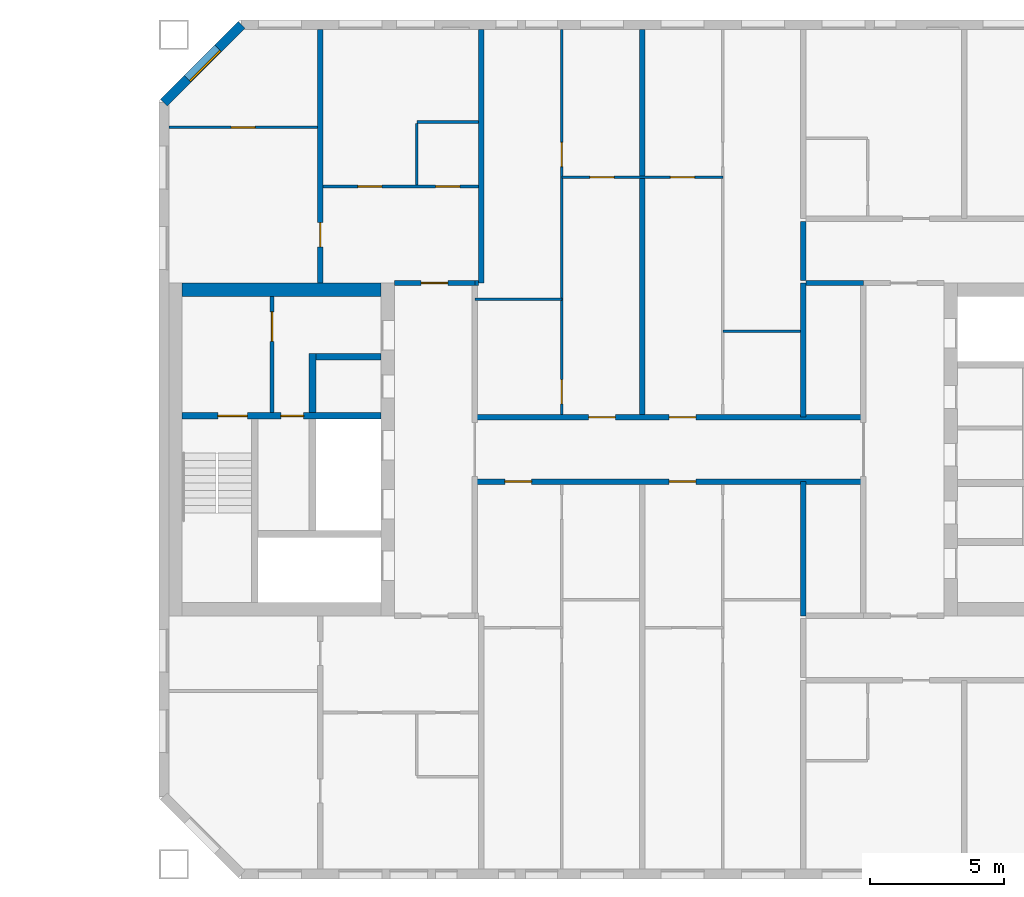
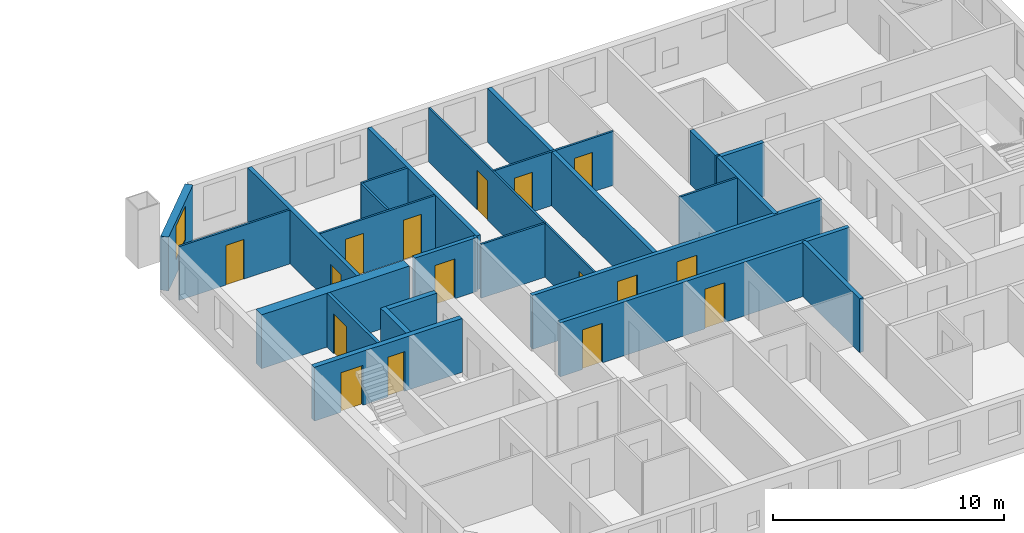
# One storey, part 11 of 16: 25 walls, 16 doors, 1 window, 17 openings.
"""IFC4 building model written with IfcOpenShell, lengths in metres."""

import ifcopenshell
import ifcopenshell.guid

model = None  # the IFC model being written
_history = None  # IfcOwnerHistory: only IFC2X3 demands one
_inside = {}  # id of a spatial element -> (the spatial element, [elements in it])
_under = {}  # id of a project, library or spatial element -> (it, [spatial elements below it])
_declared = {}  # id of a project -> (the project, [libraries it declares])
_typed = {}  # id of a type object -> (the type object, [elements of that type])
_made_of = {}  # id of a material, layer set ... -> (it, [elements and type objects made of it])


def new_model(schema):
    """Start an empty IFC model of exactly this schema.

    Asked for "IFC4X3", IfcOpenShell would pick the latest addendum, in which some entities
    have other attributes; the version numbers below select the first issue.
    IFC2X3 requires an IfcOwnerHistory on every rooted entity: one is made here for all.
    """
    global model, _history
    if schema == "IFC4X3":
        model = ifcopenshell.file(schema_version=(4, 3, 0, 0))
    else:
        model = ifcopenshell.file(schema=schema)
    _inside.clear()
    _under.clear()
    _declared.clear()
    _typed.clear()
    _made_of.clear()
    _history = None
    if model.schema == "IFC2X3":
        org = make("IfcOrganization", Name="unknown")
        user = make(
            "IfcPersonAndOrganization",
            ThePerson=make("IfcPerson", FamilyName="unknown"),
            TheOrganization=org,
        )
        app = make(
            "IfcApplication",
            ApplicationDeveloper=org,
            Version="unknown",
            ApplicationFullName="unknown",
            ApplicationIdentifier="unknown",
        )
        _history = make(
            "IfcOwnerHistory",
            OwningUser=user,
            OwningApplication=app,
            ChangeAction="ADDED",
            CreationDate=0,
        )
    return model


def make(cls, **values):
    """One entity of the class cls with the attributes given. An attribute that is None is left unset."""
    return model.create_entity(
        cls, **{name: value for name, value in values.items() if value is not None}
    )


def rooted(cls, **values):
    """An entity with a GlobalId (a new one), such as an element, a storey or a relation."""
    return make(cls, GlobalId=ifcopenshell.guid.new(), OwnerHistory=_history, **values)


def si_unit(unit_type, name, prefix=None):
    """IfcSIUnit, for example si_unit("LENGTHUNIT", "METRE", prefix="MILLI")."""
    return make("IfcSIUnit", UnitType=unit_type, Prefix=prefix, Name=name)


def assignment(units):
    """IfcUnitAssignment: the units of a project."""
    return None if units is None else make("IfcUnitAssignment", Units=units)


def point(xyz):
    """IfcCartesianPoint."""
    return None if xyz is None else make("IfcCartesianPoint", Coordinates=xyz)


def direction(xyz):
    """IfcDirection."""
    return None if xyz is None else make("IfcDirection", DirectionRatios=xyz)


def frame(location, z_axis=None, x_axis=None):
    """IfcAxis2Placement3D, a coordinate frame: its origin and axes. An axis left out is left unset."""
    return make(
        "IfcAxis2Placement3D",
        Location=point(location),
        Axis=direction(z_axis),
        RefDirection=direction(x_axis),
    )


def frame_2d(location, x_axis=None):
    """IfcAxis2Placement2D, a coordinate frame in the plane: its origin and x axis."""
    return make(
        "IfcAxis2Placement2D", Location=point(location), RefDirection=direction(x_axis)
    )


def origin():
    """The frame at (0, 0, 0) with its axes left unset."""
    return frame((0.0, 0.0, 0.0))


def place(relative_to, where):
    """IfcLocalPlacement: puts the frame where relative to a parent placement (None: the world)."""
    return make(
        "IfcLocalPlacement", PlacementRelTo=relative_to, RelativePlacement=where
    )


def context(
    kind, dimensions, precision=None, world=None, true_north=None, identifier=None
):
    """IfcGeometricRepresentationContext, for example the 3D "Model" context."""
    return make(
        "IfcGeometricRepresentationContext",
        ContextIdentifier=identifier,
        ContextType=kind,
        CoordinateSpaceDimension=dimensions,
        Precision=precision,
        WorldCoordinateSystem=world,
        TrueNorth=true_north,
    )


def subcontext(parent, identifier, kind, view, scale=None):
    """IfcGeometricRepresentationSubContext, for example "Body" below "Model"."""
    return make(
        "IfcGeometricRepresentationSubContext",
        ContextIdentifier=identifier,
        ContextType=kind,
        ParentContext=parent,
        TargetScale=scale,
        TargetView=view,
    )


def project(units=None, contexts=None):
    """IfcProject with its units and contexts."""
    return rooted(
        "IfcProject",
        Name="project",
        RepresentationContexts=contexts,
        UnitsInContext=assignment(units),
    )


def spatial(cls, under=None, at=None, **own):
    """A site, building, storey or space (cls), placed at a placement, below another one or the project."""
    s = rooted(cls, ObjectPlacement=at, **own)
    if under is not None:
        _under.setdefault(under.id(), (under, []))[1].append(s)
    return s


def profile(cls, at=None, kind="AREA", **sizes):
    """A parametric profile (cls). Its sizes go by their IFC names, for example OverallWidth=200.0."""
    return make(cls, ProfileType=kind, Position=at, **sizes)


def rectangle(**sizes):
    """IfcRectangleProfileDef."""
    return profile("IfcRectangleProfileDef", **sizes)


def extrude(swept, where, along, depth):
    """IfcExtrudedAreaSolid: the profile swept, set in the frame where, extruded along a direction by depth."""
    return make(
        "IfcExtrudedAreaSolid",
        SweptArea=swept,
        Position=where,
        ExtrudedDirection=direction(along),
        Depth=depth,
    )


def shape(context_of_items, identifier, shape_type, items):
    """IfcShapeRepresentation: the items that make up one representation, for example the "Body"."""
    return make(
        "IfcShapeRepresentation",
        ContextOfItems=context_of_items,
        RepresentationIdentifier=identifier,
        RepresentationType=shape_type,
        Items=items,
    )


def material(Name=None, Category=None):
    """IfcMaterial."""
    return make("IfcMaterial", Name=Name, Category=Category)


def layer(
    of_material, thickness, ventilated=None, Name=None, Category=None, Priority=None
):
    """IfcMaterialLayer: one layer of a wall or slab, of a material (None: an air gap)."""
    return make(
        "IfcMaterialLayer",
        Material=of_material,
        LayerThickness=thickness,
        IsVentilated=ventilated,
        Name=Name,
        Category=Category,
        Priority=Priority,
    )


def layer_set(layers, Name=None):
    """IfcMaterialLayerSet."""
    return make("IfcMaterialLayerSet", MaterialLayers=layers, LayerSetName=Name)


def made_of(thing, what):
    """Note that an element or type object is made of a material, layer set ...; save() writes the relation."""
    if what is not None:
        _made_of.setdefault(what.id(), (what, []))[1].append(thing)
    return thing


def type_object(cls, material=None, **own):
    """A type object (cls), such as IfcWallType, which elements share."""
    return made_of(rooted(cls, **own), material)


def element(
    cls,
    number,
    at=None,
    inside=None,
    cuts=None,
    type_object=None,
    material=None,
    context=None,
    identifier="Body",
    shape_type=None,
    held_by="IfcProductDefinitionShape",
    body=None,
    shapes=None,
    **own,
):
    """One element of the class cls, such as IfcWall. Its Tag is "e" and its number.

    at: its placement. inside: the storey or other place that contains it. cuts: it is an
    opening in that element (IfcRelVoidsElement). A single representation is given by context,
    identifier, shape_type and body (its items); several are given by shapes. held_by: the class
    of the entity that holds the representations. save() writes the other relations.
    """
    e = rooted(cls, Tag="e%d" % number, ObjectPlacement=at, **own)
    if body is not None:
        shapes = [shape(context, identifier, shape_type, body)]
    if shapes is not None:
        e.Representation = make(held_by, Representations=shapes)
    if inside is not None:
        _inside.setdefault(inside.id(), (inside, []))[1].append(e)
    if cuts is not None:
        rooted(
            "IfcRelVoidsElement", RelatingBuildingElement=cuts, RelatedOpeningElement=e
        )
    if type_object is not None:
        _typed.setdefault(type_object.id(), (type_object, []))[1].append(e)
    return made_of(e, material)


def fill(opening, filler):
    """IfcRelFillsElement: the door or window that sits in an opening."""
    return rooted(
        "IfcRelFillsElement",
        RelatingOpeningElement=opening,
        RelatedBuildingElement=filler,
    )


def aggregate(whole, parts):
    """IfcRelAggregates: a whole, such as a stair, and the parts it consists of."""
    return rooted("IfcRelAggregates", RelatingObject=whole, RelatedObjects=parts)


def save(model, path):
    """Write the relations noted so far, then the file.

    IfcRelAggregates (storeys below a building ...), IfcRelContainedInSpatialStructure (elements
    in a storey), IfcRelDefinesByType, IfcRelAssociatesMaterial and IfcRelDeclares: one each for
    every whole, place, type object, material and project.
    """
    for whole, parts in _under.values():
        aggregate(whole, parts)
    for where, things in _inside.values():
        rooted(
            "IfcRelContainedInSpatialStructure",
            RelatedElements=things,
            RelatingStructure=where,
        )
    for kind, things in _typed.values():
        rooted("IfcRelDefinesByType", RelatedObjects=things, RelatingType=kind)
    for what, things in _made_of.values():
        rooted("IfcRelAssociatesMaterial", RelatedObjects=things, RelatingMaterial=what)
    for by, libraries in _declared.values():
        rooted("IfcRelDeclares", RelatingContext=by, RelatedDefinitions=libraries)
    model.write(path)


model = new_model("IFC4")

# Units and contexts
model_context = context("Model", 3, precision=1e-05, world=origin(), true_north=direction((0.0, 1.0)))
body_context = subcontext(model_context, "Body", "Model", "MODEL_VIEW")
ifc_project = project(units=[si_unit("LENGTHUNIT", "METRE"), si_unit("AREAUNIT", "SQUARE_METRE"), si_unit("VOLUMEUNIT", "CUBIC_METRE"), si_unit("PLANEANGLEUNIT", "RADIAN"), si_unit("MASSUNIT", "GRAM", prefix="KILO")], contexts=[model_context])

# Site, building, storey
site_placement = place(None, origin())
site = spatial("IfcSite", under=ifc_project, at=site_placement, CompositionType="ELEMENT")
building_placement = place(site_placement, origin())
building = spatial("IfcBuilding", under=site, at=building_placement, Name="Tuart Gate Housing", CompositionType="ELEMENT")
storey_placement = place(building_placement, frame((0.0, 0.0, 157.800048828125)))
storey = spatial("IfcBuildingStorey", under=building, at=storey_placement, Name="L44", CompositionType="ELEMENT", Elevation=157.800048828125)

# Wall, opening, window
ifc_material_1 = material(Name="Brick", Category="masonry")
ifc_layer_1 = layer(ifc_material_1, 0.360107421875)
ifc_layer_set_1 = layer_set([ifc_layer_1], Name="Brick pier and spandrel wall 360")
wall_type_1 = type_object("IfcWallType", Name="Brick pier and spandrel wall 360", PredefinedType="STANDARD", material=ifc_layer_set_1)
wall_1_placement = place(storey_placement, frame((134.07470703125, 85.820068359375, 0.0), z_axis=(0.0, 0.0, 1.0), x_axis=(-0.707106781187, -0.707106781187, 0.0)))
wall_1 = element("IfcWall", 1, at=wall_1_placement, inside=storey, type_object=wall_type_1, Name="External wall B-NW L44", PredefinedType="STANDARD", context=body_context, shape_type="SweptSolid", body=[
    extrude(rectangle(XDim=4.09375, YDim=0.360107421875, at=frame_2d((2.046875, 0.0))), origin(), (0.0, 0.0, 1.0), 2.849853515625),
])
opening_1_placement = place(wall_1_placement, frame((1.2470703125, 0.0, 0.800048828125)))
opening_1 = element("IfcOpeningElement", 2, at=opening_1_placement, cuts=wall_1, Name="Opening W1", PredefinedType="OPENING", context=body_context, shape_type="SweptSolid", body=[
    extrude(rectangle(XDim=1.60009765625, YDim=1.800048828125, at=frame_2d((0.800048828125, 0.89990234375))), frame((0.0, 0.18994140625, 0.0), z_axis=(0.0, -1.0, 0.0), x_axis=(1.0, 0.0, 0.0)), (0.0, 0.0, 1.0), 0.380126953125),
])
ifc_material_2 = material(Name="Aluminium frame with clear glass", Category="aluminium")
window_type = type_object("IfcWindowType", Name="Punched window 1600 x 1800", PartitioningType="SINGLE_PANEL", PredefinedType="WINDOW", material=ifc_material_2)
window_placement = place(opening_1_placement, origin())
window = element("IfcWindow", 3, at=window_placement, inside=storey, type_object=window_type, Name="Window W1", OverallHeight=1.800048828125, OverallWidth=1.60009765625, PartitioningType="SINGLE_PANEL", PredefinedType="WINDOW", context=body_context, shape_type="SweptSolid", body=[
    extrude(rectangle(XDim=1.60009765625, YDim=1.800048828125, at=frame_2d((0.800048828125, 0.89990234375))), frame((0.0, 0.150146484375, 0.0), z_axis=(0.0, -1.0, 0.0), x_axis=(1.0, 0.0, 0.0)), (0.0, 0.0, 1.0), 0.06005859375),
])
fill(opening_1, window)

# Wall, opening, door
ifc_material_3 = material(Name="Plasterboard partition")
ifc_layer_2 = layer(ifc_material_3, 0.14990234375)
ifc_layer_set_2 = layer_set([ifc_layer_2], Name="Core partition 150")
wall_type_2 = type_object("IfcWallType", Name="Core partition 150", PredefinedType="PARTITIONING", material=ifc_layer_set_2)
wall_2_placement = place(storey_placement, frame((135.2099609375, 71.375, 0.0), z_axis=(0.0, 0.0, 1.0), x_axis=(0.0, 1.0, 0.0)))
wall_2 = element("IfcWall", 4, at=wall_2_placement, inside=storey, type_object=wall_type_2, Name="Core partition BG.6", PredefinedType="PARTITIONING", context=body_context, shape_type="SweptSolid", body=[
    extrude(rectangle(XDim=4.324951171875, YDim=0.14990234375, at=frame_2d((2.16259765625, 0.0))), origin(), (0.0, 0.0, 1.0), 2.849853515625),
])
opening_2_placement = place(wall_2_placement, frame((2.64990234375, 0.0, 0.0)))
opening_2 = element("IfcOpeningElement", 5, at=opening_2_placement, cuts=wall_2, Name="Opening D1698", PredefinedType="OPENING", context=body_context, shape_type="SweptSolid", body=[
    extrude(rectangle(XDim=1.10009765625, YDim=2.10009765625, at=frame_2d((0.550048828125, 1.050048828125))), frame((0.0, 0.0849609375, 0.0), z_axis=(0.0, -1.0, 0.0), x_axis=(1.0, 0.0, 0.0)), (0.0, 0.0, 1.0), 0.169921875),
])
ifc_material_4 = material(Name="Steel fire door", Category="steel")
door_type_1 = type_object("IfcDoorType", Name="Lobby door 1100 x 2100 RH", OperationType="SINGLE_SWING_RIGHT", PredefinedType="DOOR", material=ifc_material_4)
door_1_placement = place(opening_2_placement, origin())
door_1 = element("IfcDoor", 6, at=door_1_placement, inside=storey, type_object=door_type_1, Name="Smoke lobby door BG.KD", OperationType="SINGLE_SWING_RIGHT", OverallHeight=2.10009765625, OverallWidth=1.10009765625, PredefinedType="DOOR", context=body_context, shape_type="SweptSolid", body=[
    extrude(rectangle(XDim=1.10009765625, YDim=2.10009765625, at=frame_2d((0.550048828125, 1.050048828125))), frame((0.0, 0.02490234375, 0.0), z_axis=(0.0, -1.0, 0.0), x_axis=(1.0, 0.0, 0.0)), (0.0, 0.0, 1.0), 0.050048828125),
])
fill(opening_2, door_1)

# Wall, openings, doors
ifc_material_5 = material(Name="Concrete C40", Category="concrete")
ifc_layer_3 = layer(ifc_material_5, 0.25)
ifc_layer_set_3 = layer_set([ifc_layer_3], Name="Core wall 250 C40")
wall_type_3 = type_object("IfcWallType", Name="Core wall 250 C40", PredefinedType="SHEAR", material=ifc_layer_set_3)
wall_3_placement = place(storey_placement, frame((139.260009765625, 71.25, 0.0), z_axis=(0.0, 0.0, 1.0), x_axis=(-1.0, 0.0, 0.0)))
wall_3 = element("IfcWall", 7, at=wall_3_placement, inside=storey, type_object=wall_type_3, Name="Core wall BG.2", PredefinedType="SHEAR", context=body_context, shape_type="SweptSolid", body=[
    extrude(rectangle(XDim=7.39990234375, YDim=0.25, at=frame_2d((3.699951171875, 0.0))), origin(), (0.0, 0.0, 1.0), 2.849853515625),
])
opening_3_placement = place(wall_3_placement, frame((4.97509765625, 0.0, 0.0)))
opening_3 = element("IfcOpeningElement", 8, at=opening_3_placement, cuts=wall_3, Name="Opening D1700", PredefinedType="OPENING", context=body_context, shape_type="SweptSolid", body=[
    extrude(rectangle(XDim=1.10009765625, YDim=2.10009765625, at=frame_2d((0.550048828125, 1.050048828125))), frame((0.0, 0.135009765625, 0.0), z_axis=(0.0, -1.0, 0.0), x_axis=(1.0, 0.0, 0.0)), (0.0, 0.0, 1.0), 0.27001953125),
])
opening_4_placement = place(wall_3_placement, frame((2.875, 0.0, 0.0)))
opening_4 = element("IfcOpeningElement", 9, at=opening_4_placement, cuts=wall_3, Name="Opening D1699", PredefinedType="OPENING", context=body_context, shape_type="SweptSolid", body=[
    extrude(rectangle(XDim=0.85009765625, YDim=2.10009765625, at=frame_2d((0.425048828125, 1.050048828125))), frame((0.0, 0.135009765625, 0.0), z_axis=(0.0, -1.0, 0.0), x_axis=(1.0, 0.0, 0.0)), (0.0, 0.0, 1.0), 0.27001953125),
])
ifc_material_6 = material(Name="Steel fire door", Category="steel")
door_type_2 = type_object("IfcDoorType", Name="Riser door 850 x 2100", OperationType="SINGLE_SWING_LEFT", PredefinedType="DOOR", material=ifc_material_6)
door_2_placement = place(opening_4_placement, origin())
door_2 = element("IfcDoor", 10, at=door_2_placement, inside=storey, type_object=door_type_2, Name="Service room door BG.W1", OperationType="SINGLE_SWING_LEFT", OverallHeight=2.10009765625, OverallWidth=0.85009765625, PredefinedType="DOOR", context=body_context, shape_type="SweptSolid", body=[
    extrude(rectangle(XDim=0.85009765625, YDim=2.10009765625, at=frame_2d((0.425048828125, 1.050048828125))), frame((0.0, 0.02490234375, 0.0), z_axis=(0.0, -1.0, 0.0), x_axis=(1.0, 0.0, 0.0)), (0.0, 0.0, 1.0), 0.050048828125),
])
fill(opening_4, door_2)
ifc_material_7 = material(Name="Steel fire door", Category="steel")
door_type_3 = type_object("IfcDoorType", Name="Stair door 1100 x 2100", OperationType="SINGLE_SWING_LEFT", PredefinedType="DOOR", material=ifc_material_7)
door_3_placement = place(opening_3_placement, origin())
door_3 = element("IfcDoor", 11, at=door_3_placement, inside=storey, type_object=door_type_3, Name="Stair door BG.SD", OperationType="SINGLE_SWING_LEFT", OverallHeight=2.10009765625, OverallWidth=1.10009765625, PredefinedType="DOOR", context=body_context, shape_type="SweptSolid", body=[
    extrude(rectangle(XDim=1.10009765625, YDim=2.10009765625, at=frame_2d((0.550048828125, 1.050048828125))), frame((0.0, 0.02490234375, 0.0), z_axis=(0.0, -1.0, 0.0), x_axis=(1.0, 0.0, 0.0)), (0.0, 0.0, 1.0), 0.050048828125),
])
fill(opening_3, door_3)

# Walls
wall_4_placement = place(storey_placement, frame((139.260009765625, 73.449951171875, 0.0), z_axis=(0.0, 0.0, 1.0), x_axis=(-1.0, 0.0, 0.0)))
element("IfcWall", 12, at=wall_4_placement, inside=storey, type_object=wall_type_3, Name="Core wall BG.3", PredefinedType="SHEAR", context=body_context, shape_type="SweptSolid", body=[
    extrude(rectangle(XDim=2.425048828125, YDim=0.25, at=frame_2d((1.21240234375, 0.0))), origin(), (0.0, 0.0, 1.0), 2.849853515625),
])
wall_5_placement = place(storey_placement, frame((136.7099609375, 71.375, 0.0), z_axis=(0.0, 0.0, 1.0), x_axis=(0.0, 1.0, 0.0)))
element("IfcWall", 13, at=wall_5_placement, inside=storey, type_object=wall_type_3, Name="Core wall BG.5", PredefinedType="SHEAR", context=body_context, shape_type="SweptSolid", body=[
    extrude(rectangle(XDim=2.199951171875, YDim=0.25, at=frame_2d((1.10009765625, 0.0))), origin(), (0.0, 0.0, 1.0), 2.849853515625),
])
ifc_material_8 = material(Name="Concrete C40", Category="concrete")
ifc_layer_4 = layer(ifc_material_8, 0.5)
ifc_layer_set_4 = layer_set([ifc_layer_4], Name="Core wall 500 C40")
wall_type_4 = type_object("IfcWallType", Name="Core wall 500 C40", PredefinedType="SHEAR", material=ifc_layer_set_4)
wall_6_placement = place(storey_placement, frame((139.260009765625, 75.949951171875, 0.0), z_axis=(0.0, 0.0, 1.0), x_axis=(-1.0, 0.0, 0.0)))
element("IfcWall", 14, at=wall_6_placement, inside=storey, type_object=wall_type_4, Name="Core wall BG north", PredefinedType="SHEAR", context=body_context, shape_type="SweptSolid", body=[
    extrude(rectangle(XDim=7.39990234375, YDim=0.5, at=frame_2d((3.699951171875, 0.0))), origin(), (0.0, 0.0, 1.0), 2.849853515625),
])

# Wall, openings, doors
ifc_material_9 = material(Name="Concrete masonry 15 MPa", Category="masonry")
ifc_layer_5 = layer(ifc_material_9, 0.199951171875)
ifc_layer_set_5 = layer_set([ifc_layer_5], Name="Corridor wall masonry 200")
wall_type_5 = type_object("IfcWallType", Name="Corridor wall masonry 200", PredefinedType="PARTITIONING", material=ifc_layer_set_5)
wall_7_placement = place(storey_placement, frame((142.760009765625, 68.800048828125, 0.0), z_axis=(0.0, 0.0, 1.0), x_axis=(1.0, 0.0, 0.0)))
wall_7 = element("IfcWall", 15, at=wall_7_placement, inside=storey, type_object=wall_type_5, Name="Corridor wall masonry 200", PredefinedType="PARTITIONING", context=body_context, shape_type="SweptSolid", body=[
    extrude(rectangle(XDim=14.47998046875, YDim=0.199951171875, at=frame_2d((7.239990234375, 0.0))), origin(), (0.0, 0.0, 1.0), 2.849853515625),
])
opening_5_placement = place(wall_7_placement, frame((1.1201171875, 0.0, 0.0)))
opening_5 = element("IfcOpeningElement", 16, at=opening_5_placement, cuts=wall_7, Name="Opening D1712", PredefinedType="OPENING", context=body_context, shape_type="SweptSolid", body=[
    extrude(rectangle(XDim=1.0, YDim=2.10009765625, at=frame_2d((0.5, 1.050048828125))), frame((0.0, 0.10986328125, 0.0), z_axis=(0.0, -1.0, 0.0), x_axis=(1.0, 0.0, 0.0)), (0.0, 0.0, 1.0), 0.219970703125),
])
opening_6_placement = place(wall_7_placement, frame((7.239990234375, 0.0, 0.0)))
opening_6 = element("IfcOpeningElement", 17, at=opening_6_placement, cuts=wall_7, Name="Opening D1713", PredefinedType="OPENING", context=body_context, shape_type="SweptSolid", body=[
    extrude(rectangle(XDim=1.0, YDim=2.10009765625, at=frame_2d((0.5, 1.050048828125))), frame((0.0, 0.10986328125, 0.0), z_axis=(0.0, -1.0, 0.0), x_axis=(1.0, 0.0, 0.0)), (0.0, 0.0, 1.0), 0.219970703125),
])
ifc_material_10 = material(Name="Timber door leaf in steel frame", Category="steel")
door_type_4 = type_object("IfcDoorType", Name="Flat entrance door 1000 RH", OperationType="SINGLE_SWING_RIGHT", PredefinedType="DOOR", material=ifc_material_10)
door_4_placement = place(opening_5_placement, frame((1.0, 0.0, 0.0), z_axis=(0.0, 0.0, 1.0), x_axis=(-1.0, 0.0, 0.0)))
door_4 = element("IfcDoor", 18, at=door_4_placement, inside=storey, type_object=door_type_4, Name="Flat entrance door", OperationType="SINGLE_SWING_RIGHT", OverallHeight=2.10009765625, OverallWidth=1.0, PredefinedType="DOOR", context=body_context, shape_type="SweptSolid", body=[
    extrude(rectangle(XDim=1.0, YDim=2.10009765625, at=frame_2d((0.5, 1.050048828125))), frame((0.0, 0.025146484375, 0.0), z_axis=(0.0, -1.0, 0.0), x_axis=(1.0, 0.0, 0.0)), (0.0, 0.0, 1.0), 0.050048828125),
])
fill(opening_5, door_4)
door_5_placement = place(opening_6_placement, frame((1.0, 0.0, 0.0), z_axis=(0.0, 0.0, 1.0), x_axis=(-1.0, 0.0, 0.0)))
door_5 = element("IfcDoor", 19, at=door_5_placement, inside=storey, type_object=door_type_4, Name="Flat entrance door", OperationType="SINGLE_SWING_RIGHT", OverallHeight=2.10009765625, OverallWidth=1.0, PredefinedType="DOOR", context=body_context, shape_type="SweptSolid", body=[
    extrude(rectangle(XDim=1.0, YDim=2.10009765625, at=frame_2d((0.5, 1.050048828125))), frame((0.0, 0.025146484375, 0.0), z_axis=(0.0, -1.0, 0.0), x_axis=(1.0, 0.0, 0.0)), (0.0, 0.0, 1.0), 0.050048828125),
])
fill(opening_6, door_5)

wall_8_placement = place(storey_placement, frame((142.760009765625, 71.199951171875, 0.0), z_axis=(0.0, 0.0, 1.0), x_axis=(1.0, 0.0, 0.0)))
wall_8 = element("IfcWall", 20, at=wall_8_placement, inside=storey, type_object=wall_type_5, Name="Corridor wall masonry 200", PredefinedType="PARTITIONING", context=body_context, shape_type="SweptSolid", body=[
    extrude(rectangle(XDim=14.47998046875, YDim=0.199951171875, at=frame_2d((7.239990234375, 0.0))), origin(), (0.0, 0.0, 1.0), 2.849853515625),
])
opening_7_placement = place(wall_8_placement, frame((4.239990234375, 0.0, 0.0)))
opening_7 = element("IfcOpeningElement", 21, at=opening_7_placement, cuts=wall_8, Name="Opening D1701", PredefinedType="OPENING", context=body_context, shape_type="SweptSolid", body=[
    extrude(rectangle(XDim=1.0, YDim=2.10009765625, at=frame_2d((0.5, 1.050048828125))), frame((0.0, 0.10986328125, 0.0), z_axis=(0.0, -1.0, 0.0), x_axis=(1.0, 0.0, 0.0)), (0.0, 0.0, 1.0), 0.219970703125),
])
opening_8_placement = place(wall_8_placement, frame((7.239990234375, 0.0, 0.0)))
opening_8 = element("IfcOpeningElement", 22, at=opening_8_placement, cuts=wall_8, Name="Opening D1702", PredefinedType="OPENING", context=body_context, shape_type="SweptSolid", body=[
    extrude(rectangle(XDim=1.0, YDim=2.10009765625, at=frame_2d((0.5, 1.050048828125))), frame((0.0, 0.10986328125, 0.0), z_axis=(0.0, -1.0, 0.0), x_axis=(1.0, 0.0, 0.0)), (0.0, 0.0, 1.0), 0.219970703125),
])
ifc_material_11 = material(Name="Timber door leaf in steel frame", Category="steel")
door_type_5 = type_object("IfcDoorType", Name="Flat entrance door 1000", OperationType="SINGLE_SWING_LEFT", PredefinedType="DOOR", material=ifc_material_11)
door_6_placement = place(opening_7_placement, origin())
door_6 = element("IfcDoor", 23, at=door_6_placement, inside=storey, type_object=door_type_5, Name="Flat entrance door", OperationType="SINGLE_SWING_LEFT", OverallHeight=2.10009765625, OverallWidth=1.0, PredefinedType="DOOR", context=body_context, shape_type="SweptSolid", body=[
    extrude(rectangle(XDim=1.0, YDim=2.10009765625, at=frame_2d((0.5, 1.050048828125))), frame((0.0, 0.02490234375, 0.0), z_axis=(0.0, -1.0, 0.0), x_axis=(1.0, 0.0, 0.0)), (0.0, 0.0, 1.0), 0.050048828125),
])
fill(opening_7, door_6)
door_7_placement = place(opening_8_placement, origin())
door_7 = element("IfcDoor", 24, at=door_7_placement, inside=storey, type_object=door_type_5, Name="Flat entrance door", OperationType="SINGLE_SWING_LEFT", OverallHeight=2.10009765625, OverallWidth=1.0, PredefinedType="DOOR", context=body_context, shape_type="SweptSolid", body=[
    extrude(rectangle(XDim=1.0, YDim=2.10009765625, at=frame_2d((0.5, 1.050048828125))), frame((0.0, 0.02490234375, 0.0), z_axis=(0.0, -1.0, 0.0), x_axis=(1.0, 0.0, 0.0)), (0.0, 0.0, 1.0), 0.050048828125),
])
fill(opening_8, door_7)

# Walls
wall_9_placement = place(storey_placement, frame((155.10009765625, 76.199951171875, 0.0), z_axis=(0.0, 0.0, 1.0), x_axis=(1.0, 0.0, 0.0)))
element("IfcWall", 25, at=wall_9_placement, inside=storey, type_object=wall_type_5, Name="Corridor wall masonry 200", PredefinedType="PARTITIONING", context=body_context, shape_type="SweptSolid", body=[
    extrude(rectangle(XDim=2.139892578125, YDim=0.199951171875, at=frame_2d((1.06982421875, 0.0))), origin(), (0.0, 0.0, 1.0), 2.849853515625),
])
wall_10_placement = place(storey_placement, frame((155.0, 76.300048828125, 0.0), z_axis=(0.0, 0.0, 1.0), x_axis=(0.0, 1.0, 0.0)))
element("IfcWall", 26, at=wall_10_placement, inside=storey, type_object=wall_type_5, Name="Corridor wall masonry 200", PredefinedType="PARTITIONING", context=body_context, shape_type="SweptSolid", body=[
    extrude(rectangle(XDim=2.199951171875, YDim=0.199951171875, at=frame_2d((1.10009765625, 0.0))), origin(), (0.0, 0.0, 1.0), 2.849853515625),
])

# Wall, opening, door
ifc_material_12 = material(Name="Concrete masonry 15 MPa", Category="masonry")
ifc_layer_6 = layer(ifc_material_12, 0.199951171875)
ifc_layer_set_6 = layer_set([ifc_layer_6], Name="Enclosure wall masonry 200")
wall_type_6 = type_object("IfcWallType", Name="Enclosure wall masonry 200", PredefinedType="PARTITIONING", material=ifc_layer_set_6)
wall_11_placement = place(storey_placement, frame((139.760009765625, 76.199951171875, 0.0), z_axis=(0.0, 0.0, 1.0), x_axis=(1.0, 0.0, 0.0)))
wall_11 = element("IfcWall", 27, at=wall_11_placement, inside=storey, type_object=wall_type_6, Name="Enclosure wall masonry 200", PredefinedType="PARTITIONING", context=body_context, shape_type="SweptSolid", body=[
    extrude(rectangle(XDim=3.0, YDim=0.199951171875, at=frame_2d((1.5, 0.0))), origin(), (0.0, 0.0, 1.0), 2.849853515625),
])
opening_9_placement = place(wall_11_placement, frame((1.0, 0.0, 0.0)))
opening_9 = element("IfcOpeningElement", 28, at=opening_9_placement, cuts=wall_11, Name="Opening D1696", PredefinedType="OPENING", context=body_context, shape_type="SweptSolid", body=[
    extrude(rectangle(XDim=1.0, YDim=2.10009765625, at=frame_2d((0.5, 1.050048828125))), frame((0.0, 0.10986328125, 0.0), z_axis=(0.0, -1.0, 0.0), x_axis=(1.0, 0.0, 0.0)), (0.0, 0.0, 1.0), 0.219970703125),
])
door_8_placement = place(opening_9_placement, origin())
door_8 = element("IfcDoor", 29, at=door_8_placement, inside=storey, type_object=door_type_4, Name="Flat entrance door", OperationType="SINGLE_SWING_RIGHT", OverallHeight=2.10009765625, OverallWidth=1.0, PredefinedType="DOOR", context=body_context, shape_type="SweptSolid", body=[
    extrude(rectangle(XDim=1.0, YDim=2.10009765625, at=frame_2d((0.5, 1.050048828125))), frame((0.0, 0.02490234375, 0.0), z_axis=(0.0, -1.0, 0.0), x_axis=(1.0, 0.0, 0.0)), (0.0, 0.0, 1.0), 0.050048828125),
])
fill(opening_9, door_8)

# Walls
ifc_material_13 = material(Name="Gypsum board on steel studs", Category="steel")
ifc_layer_7 = layer(ifc_material_13, 0.10009765625)
ifc_layer_set_7 = layer_set([ifc_layer_7], Name="Partition 100")
wall_type_7 = type_object("IfcWallType", Name="Partition 100", PredefinedType="PARTITIONING", material=ifc_layer_set_7)
wall_12_placement = place(storey_placement, frame((152.0, 74.39990234375, 0.0), z_axis=(0.0, 0.0, 1.0), x_axis=(1.0, 0.0, 0.0)))
element("IfcWall", 30, at=wall_12_placement, inside=storey, type_object=wall_type_7, Name="Partition 100", PredefinedType="PARTITIONING", context=body_context, shape_type="SweptSolid", body=[
    extrude(rectangle(XDim=2.89990234375, YDim=0.10009765625, at=frame_2d((1.449951171875, 0.0))), origin(), (0.0, 0.0, 1.0), 2.849853515625),
])
wall_13_placement = place(storey_placement, frame((142.760009765625, 75.60009765625, 0.0), z_axis=(0.0, 0.0, 1.0), x_axis=(1.0, 0.0, 0.0)))
element("IfcWall", 31, at=wall_13_placement, inside=storey, type_object=wall_type_7, Name="Partition 100", PredefinedType="PARTITIONING", context=body_context, shape_type="SweptSolid", body=[
    extrude(rectangle(XDim=3.239990234375, YDim=0.10009765625, at=frame_2d((1.6201171875, 0.0))), origin(), (0.0, 0.0, 1.0), 2.849853515625),
])

# Wall, openings, doors
wall_14_placement = place(storey_placement, frame((137.10009765625, 79.800048828125, 0.0), z_axis=(0.0, 0.0, 1.0), x_axis=(1.0, 0.0, 0.0)))
wall_14 = element("IfcWall", 32, at=wall_14_placement, inside=storey, type_object=wall_type_7, Name="Partition 100", PredefinedType="PARTITIONING", context=body_context, shape_type="SweptSolid", body=[
    extrude(rectangle(XDim=5.7998046875, YDim=0.10009765625, at=frame_2d((2.89990234375, 0.0))), origin(), (0.0, 0.0, 1.0), 2.849853515625),
])
opening_10_placement = place(wall_14_placement, frame((1.300048828125, 0.0, 0.0)))
opening_10 = element("IfcOpeningElement", 33, at=opening_10_placement, cuts=wall_14, Name="Opening D1689", PredefinedType="OPENING", context=body_context, shape_type="SweptSolid", body=[
    extrude(rectangle(XDim=0.89990234375, YDim=2.10009765625, at=frame_2d((0.449951171875, 1.050048828125))), frame((0.0, 0.06005859375, 0.0), z_axis=(0.0, -1.0, 0.0), x_axis=(1.0, 0.0, 0.0)), (0.0, 0.0, 1.0), 0.1201171875),
])
opening_11_placement = place(wall_14_placement, frame((4.199951171875, 0.0, 0.0)))
opening_11 = element("IfcOpeningElement", 34, at=opening_11_placement, cuts=wall_14, Name="Opening D1688", PredefinedType="OPENING", context=body_context, shape_type="SweptSolid", body=[
    extrude(rectangle(XDim=0.89990234375, YDim=2.10009765625, at=frame_2d((0.449951171875, 1.050048828125))), frame((0.0, 0.06005859375, 0.0), z_axis=(0.0, -1.0, 0.0), x_axis=(1.0, 0.0, 0.0)), (0.0, 0.0, 1.0), 0.1201171875),
])
ifc_material_14 = material(Name="Timber door leaf in steel frame", Category="steel")
door_type_6 = type_object("IfcDoorType", Name="Bathroom door 900", OperationType="SINGLE_SWING_LEFT", PredefinedType="DOOR", material=ifc_material_14)
door_9_placement = place(opening_11_placement, origin())
door_9 = element("IfcDoor", 35, at=door_9_placement, inside=storey, type_object=door_type_6, Name="Bathroom door", OperationType="SINGLE_SWING_LEFT", OverallHeight=2.10009765625, OverallWidth=0.89990234375, PredefinedType="DOOR", context=body_context, shape_type="SweptSolid", body=[
    extrude(rectangle(XDim=0.89990234375, YDim=2.10009765625, at=frame_2d((0.449951171875, 1.050048828125))), frame((0.0, 0.02490234375, 0.0), z_axis=(0.0, -1.0, 0.0), x_axis=(1.0, 0.0, 0.0)), (0.0, 0.0, 1.0), 0.050048828125),
])
fill(opening_11, door_9)
ifc_material_15 = material(Name="Timber door leaf in steel frame", Category="steel")
door_type_7 = type_object("IfcDoorType", Name="Internal door 900 RH", OperationType="SINGLE_SWING_RIGHT", PredefinedType="DOOR", material=ifc_material_15)
door_10_placement = place(opening_10_placement, origin())
door_10 = element("IfcDoor", 36, at=door_10_placement, inside=storey, type_object=door_type_7, Name="Internal door", OperationType="SINGLE_SWING_RIGHT", OverallHeight=2.10009765625, OverallWidth=0.89990234375, PredefinedType="DOOR", context=body_context, shape_type="SweptSolid", body=[
    extrude(rectangle(XDim=0.89990234375, YDim=2.10009765625, at=frame_2d((0.449951171875, 1.050048828125))), frame((0.0, 0.02490234375, 0.0), z_axis=(0.0, -1.0, 0.0), x_axis=(1.0, 0.0, 0.0)), (0.0, 0.0, 1.0), 0.050048828125),
])
fill(opening_10, door_10)

wall_15_placement = place(storey_placement, frame((146.0, 80.139892578125, 0.0), z_axis=(0.0, 0.0, 1.0), x_axis=(1.0, 0.0, 0.0)))
wall_15 = element("IfcWall", 37, at=wall_15_placement, inside=storey, type_object=wall_type_7, Name="Partition 100", PredefinedType="PARTITIONING", context=body_context, shape_type="SweptSolid", body=[
    extrude(rectangle(XDim=6.0, YDim=0.10009765625, at=frame_2d((3.0, 0.0))), origin(), (0.0, 0.0, 1.0), 2.849853515625),
])
opening_12_placement = place(wall_15_placement, frame((1.050048828125, 0.0, 0.0)))
opening_12 = element("IfcOpeningElement", 38, at=opening_12_placement, cuts=wall_15, Name="Opening D1685", PredefinedType="OPENING", context=body_context, shape_type="SweptSolid", body=[
    extrude(rectangle(XDim=0.89990234375, YDim=2.10009765625, at=frame_2d((0.449951171875, 1.050048828125))), frame((0.0, 0.06005859375, 0.0), z_axis=(0.0, -1.0, 0.0), x_axis=(1.0, 0.0, 0.0)), (0.0, 0.0, 1.0), 0.1201171875),
])
opening_13_placement = place(wall_15_placement, frame((4.050048828125, 0.0, 0.0)))
opening_13 = element("IfcOpeningElement", 39, at=opening_13_placement, cuts=wall_15, Name="Opening D1686", PredefinedType="OPENING", context=body_context, shape_type="SweptSolid", body=[
    extrude(rectangle(XDim=0.89990234375, YDim=2.10009765625, at=frame_2d((0.449951171875, 1.050048828125))), frame((0.0, 0.06005859375, 0.0), z_axis=(0.0, -1.0, 0.0), x_axis=(1.0, 0.0, 0.0)), (0.0, 0.0, 1.0), 0.1201171875),
])
door_11_placement = place(opening_12_placement, frame((0.89990234375, 0.0, 0.0), z_axis=(0.0, 0.0, 1.0), x_axis=(-1.0, 0.0, 0.0)))
door_11 = element("IfcDoor", 40, at=door_11_placement, inside=storey, type_object=door_type_7, Name="Internal door", OperationType="SINGLE_SWING_RIGHT", OverallHeight=2.10009765625, OverallWidth=0.89990234375, PredefinedType="DOOR", context=body_context, shape_type="SweptSolid", body=[
    extrude(rectangle(XDim=0.89990234375, YDim=2.10009765625, at=frame_2d((0.449951171875, 1.050048828125))), frame((0.0, 0.025146484375, 0.0), z_axis=(0.0, -1.0, 0.0), x_axis=(1.0, 0.0, 0.0)), (0.0, 0.0, 1.0), 0.050048828125),
])
fill(opening_12, door_11)
door_12_placement = place(opening_13_placement, frame((0.89990234375, 0.0, 0.0), z_axis=(0.0, 0.0, 1.0), x_axis=(-1.0, 0.0, 0.0)))
door_12 = element("IfcDoor", 41, at=door_12_placement, inside=storey, type_object=door_type_7, Name="Internal door", OperationType="SINGLE_SWING_RIGHT", OverallHeight=2.10009765625, OverallWidth=0.89990234375, PredefinedType="DOOR", context=body_context, shape_type="SweptSolid", body=[
    extrude(rectangle(XDim=0.89990234375, YDim=2.10009765625, at=frame_2d((0.449951171875, 1.050048828125))), frame((0.0, 0.025146484375, 0.0), z_axis=(0.0, -1.0, 0.0), x_axis=(1.0, 0.0, 0.0)), (0.0, 0.0, 1.0), 0.050048828125),
])
fill(opening_13, door_12)

# Wall, opening, door
wall_16_placement = place(storey_placement, frame((131.360107421875, 82.0, 0.0), z_axis=(0.0, 0.0, 1.0), x_axis=(1.0, 0.0, 0.0)))
wall_16 = element("IfcWall", 42, at=wall_16_placement, inside=storey, type_object=wall_type_7, Name="Partition 100", PredefinedType="PARTITIONING", context=body_context, shape_type="SweptSolid", body=[
    extrude(rectangle(XDim=5.539794921875, YDim=0.10009765625, at=frame_2d((2.77001953125, 0.0))), origin(), (0.0, 0.0, 1.0), 2.849853515625),
])
opening_14_placement = place(wall_16_placement, frame((2.320068359375, 0.0, 0.0)))
opening_14 = element("IfcOpeningElement", 43, at=opening_14_placement, cuts=wall_16, Name="Opening D1683", PredefinedType="OPENING", context=body_context, shape_type="SweptSolid", body=[
    extrude(rectangle(XDim=0.89990234375, YDim=2.10009765625, at=frame_2d((0.449951171875, 1.050048828125))), frame((0.0, 0.06005859375, 0.0), z_axis=(0.0, -1.0, 0.0), x_axis=(1.0, 0.0, 0.0)), (0.0, 0.0, 1.0), 0.1201171875),
])
ifc_material_16 = material(Name="Timber door leaf in steel frame", Category="steel")
door_type_8 = type_object("IfcDoorType", Name="Internal door 900", OperationType="SINGLE_SWING_LEFT", PredefinedType="DOOR", material=ifc_material_16)
door_13_placement = place(opening_14_placement, origin())
door_13 = element("IfcDoor", 44, at=door_13_placement, inside=storey, type_object=door_type_8, Name="Internal door", OperationType="SINGLE_SWING_LEFT", OverallHeight=2.10009765625, OverallWidth=0.89990234375, PredefinedType="DOOR", context=body_context, shape_type="SweptSolid", body=[
    extrude(rectangle(XDim=0.89990234375, YDim=2.10009765625, at=frame_2d((0.449951171875, 1.050048828125))), frame((0.0, 0.02490234375, 0.0), z_axis=(0.0, -1.0, 0.0), x_axis=(1.0, 0.0, 0.0)), (0.0, 0.0, 1.0), 0.050048828125),
])
fill(opening_14, door_13)

# Walls
for number, where, z_axis, x_axis, name in (
    (45, (140.60009765625, 82.199951171875, 0.0), (0.0, 0.0, 1.0), (1.0, 0.0, 0.0), "Partition 100"),
    (46, (140.60009765625, 79.85009765625, 0.0), (0.0, 0.0, 1.0), (0.0, 1.0, 0.0), "Partition 100"),
):
    element("IfcWall", number, at=place(storey_placement, frame(where, z_axis=z_axis, x_axis=x_axis)), inside=storey, type_object=wall_type_7, Name=name, PredefinedType="PARTITIONING", context=body_context, shape_type="SweptSolid", body=[
        extrude(rectangle(XDim=2.2998046875, YDim=0.10009765625, at=frame_2d((1.14990234375, 0.0))), origin(), (0.0, 0.0, 1.0), 2.849853515625),
    ])

# Wall, openings, doors
wall_17_placement = place(storey_placement, frame((146.0, 71.300048828125, 0.0), z_axis=(0.0, 0.0, 1.0), x_axis=(0.0, 1.0, 0.0)))
wall_17 = element("IfcWall", 47, at=wall_17_placement, inside=storey, type_object=wall_type_7, Name="Partition 100", PredefinedType="PARTITIONING", context=body_context, shape_type="SweptSolid", body=[
    extrude(rectangle(XDim=14.33984375, YDim=0.10009765625, at=frame_2d((7.169921875, 0.0))), origin(), (0.0, 0.0, 1.0), 2.849853515625),
])
opening_15_placement = place(wall_17_placement, frame((9.239990234375, 0.0, 0.0)))
opening_15 = element("IfcOpeningElement", 48, at=opening_15_placement, cuts=wall_17, Name="Opening D1693", PredefinedType="OPENING", context=body_context, shape_type="SweptSolid", body=[
    extrude(rectangle(XDim=0.89990234375, YDim=2.10009765625, at=frame_2d((0.449951171875, 1.050048828125))), frame((0.0, 0.06005859375, 0.0), z_axis=(0.0, -1.0, 0.0), x_axis=(1.0, 0.0, 0.0)), (0.0, 0.0, 1.0), 0.1201171875),
])
opening_16_placement = place(wall_17_placement, frame((0.39990234375, 0.0, 0.0)))
opening_16 = element("IfcOpeningElement", 49, at=opening_16_placement, cuts=wall_17, Name="Opening D1692", PredefinedType="OPENING", context=body_context, shape_type="SweptSolid", body=[
    extrude(rectangle(XDim=0.89990234375, YDim=2.10009765625, at=frame_2d((0.449951171875, 1.050048828125))), frame((0.0, 0.06005859375, 0.0), z_axis=(0.0, -1.0, 0.0), x_axis=(1.0, 0.0, 0.0)), (0.0, 0.0, 1.0), 0.1201171875),
])
door_14_placement = place(opening_16_placement, origin())
door_14 = element("IfcDoor", 50, at=door_14_placement, inside=storey, type_object=door_type_6, Name="Bathroom door", OperationType="SINGLE_SWING_LEFT", OverallHeight=2.10009765625, OverallWidth=0.89990234375, PredefinedType="DOOR", context=body_context, shape_type="SweptSolid", body=[
    extrude(rectangle(XDim=0.89990234375, YDim=2.10009765625, at=frame_2d((0.449951171875, 1.050048828125))), frame((0.0, 0.02490234375, 0.0), z_axis=(0.0, -1.0, 0.0), x_axis=(1.0, 0.0, 0.0)), (0.0, 0.0, 1.0), 0.050048828125),
])
fill(opening_16, door_14)
door_15_placement = place(opening_15_placement, origin())
door_15 = element("IfcDoor", 51, at=door_15_placement, inside=storey, type_object=door_type_7, Name="Internal door", OperationType="SINGLE_SWING_RIGHT", OverallHeight=2.10009765625, OverallWidth=0.89990234375, PredefinedType="DOOR", context=body_context, shape_type="SweptSolid", body=[
    extrude(rectangle(XDim=0.89990234375, YDim=2.10009765625, at=frame_2d((0.449951171875, 1.050048828125))), frame((0.0, 0.02490234375, 0.0), z_axis=(0.0, -1.0, 0.0), x_axis=(1.0, 0.0, 0.0)), (0.0, 0.0, 1.0), 0.050048828125),
])
fill(opening_15, door_15)

# Wall, opening, door
ifc_material_17 = material(Name="Concrete C40", Category="concrete")
ifc_layer_8 = layer(ifc_material_17, 0.199951171875)
ifc_layer_set_8 = layer_set([ifc_layer_8], Name="Party wall concrete C40 200")
wall_type_8 = type_object("IfcWallType", Name="Party wall concrete C40 200", PredefinedType="SOLIDWALL", material=ifc_layer_set_8)
wall_18_placement = place(storey_placement, frame((137.0, 76.199951171875, 0.0), z_axis=(0.0, 0.0, 1.0), x_axis=(0.0, 1.0, 0.0)))
wall_18 = element("IfcWall", 52, at=wall_18_placement, inside=storey, type_object=wall_type_8, Name="Party wall concrete C40 200", PredefinedType="SOLIDWALL", context=body_context, shape_type="SweptSolid", body=[
    extrude(rectangle(XDim=9.43994140625, YDim=0.199951171875, at=frame_2d((4.719970703125, 0.0))), origin(), (0.0, 0.0, 1.0), 2.849853515625),
])
opening_17_placement = place(wall_18_placement, frame((1.35009765625, 0.0, 0.0)))
opening_17 = element("IfcOpeningElement", 53, at=opening_17_placement, cuts=wall_18, Name="Opening D1684", PredefinedType="OPENING", context=body_context, shape_type="SweptSolid", body=[
    extrude(rectangle(XDim=0.89990234375, YDim=2.10009765625, at=frame_2d((0.449951171875, 1.050048828125))), frame((0.0, 0.10986328125, 0.0), z_axis=(0.0, -1.0, 0.0), x_axis=(1.0, 0.0, 0.0)), (0.0, 0.0, 1.0), 0.219970703125),
])
door_16_placement = place(opening_17_placement, frame((0.89990234375, 0.0, 0.0), z_axis=(0.0, 0.0, 1.0), x_axis=(-1.0, 0.0, 0.0)))
door_16 = element("IfcDoor", 54, at=door_16_placement, inside=storey, type_object=door_type_7, Name="Internal door", OperationType="SINGLE_SWING_RIGHT", OverallHeight=2.10009765625, OverallWidth=0.89990234375, PredefinedType="DOOR", context=body_context, shape_type="SweptSolid", body=[
    extrude(rectangle(XDim=0.89990234375, YDim=2.10009765625, at=frame_2d((0.449951171875, 1.050048828125))), frame((0.0, 0.025146484375, 0.0), z_axis=(0.0, -1.0, 0.0), x_axis=(1.0, 0.0, 0.0)), (0.0, 0.0, 1.0), 0.050048828125),
])
fill(opening_17, door_16)

# Walls
wall_19_placement = place(storey_placement, frame((143.0, 76.199951171875, 0.0), z_axis=(0.0, 0.0, 1.0), x_axis=(0.0, 1.0, 0.0)))
element("IfcWall", 55, at=wall_19_placement, inside=storey, type_object=wall_type_8, Name="Party wall concrete C40 200", PredefinedType="SOLIDWALL", context=body_context, shape_type="SweptSolid", body=[
    extrude(rectangle(XDim=9.43994140625, YDim=0.199951171875, at=frame_2d((4.719970703125, 0.0))), origin(), (0.0, 0.0, 1.0), 2.849853515625),
])
wall_20_placement = place(storey_placement, frame((149.0, 71.199951171875, 0.0), z_axis=(0.0, 0.0, 1.0), x_axis=(0.0, 1.0, 0.0)))
element("IfcWall", 56, at=wall_20_placement, inside=storey, type_object=wall_type_8, Name="Party wall concrete C40 200", PredefinedType="SOLIDWALL", context=body_context, shape_type="SweptSolid", body=[
    extrude(rectangle(XDim=14.43994140625, YDim=0.199951171875, at=frame_2d((7.219970703125, 0.0))), origin(), (0.0, 0.0, 1.0), 2.849853515625),
])
for number, where, z_axis, x_axis, name in (
    (57, (155.0, 63.800048828125, 0.0), (0.0, 0.0, 1.0), (0.0, 1.0, 0.0), "Party wall concrete C40 200"),
    (58, (155.0, 71.199951171875, 0.0), (0.0, 0.0, 1.0), (0.0, 1.0, 0.0), "Party wall concrete C40 200"),
):
    element("IfcWall", number, at=place(storey_placement, frame(where, z_axis=z_axis, x_axis=x_axis)), inside=storey, type_object=wall_type_8, Name=name, PredefinedType="SOLIDWALL", context=body_context, shape_type="SweptSolid", body=[
        extrude(rectangle(XDim=5.0, YDim=0.199951171875, at=frame_2d((2.5, 0.0))), origin(), (0.0, 0.0, 1.0), 2.849853515625),
    ])
ifc_material_18 = material(Name="Concrete masonry 15 MPa", Category="masonry")
ifc_layer_9 = layer(ifc_material_18, 0.199951171875)
ifc_layer_set_9 = layer_set([ifc_layer_9], Name="Party wall masonry 200")
wall_type_9 = type_object("IfcWallType", Name="Party wall masonry 200", PredefinedType="PARTITIONING", material=ifc_layer_set_9)
wall_21_placement = place(storey_placement, frame((142.760009765625, 76.199951171875, 0.0), z_axis=(0.0, 0.0, 1.0), x_axis=(1.0, 0.0, 0.0)))
element("IfcWall", 59, at=wall_21_placement, inside=storey, type_object=wall_type_9, Name="Party wall masonry 200", PredefinedType="PARTITIONING", context=body_context, shape_type="SweptSolid", body=[
    extrude(rectangle(XDim=0.139892578125, YDim=0.199951171875, at=frame_2d((0.06982421875, 0.0))), origin(), (0.0, 0.0, 1.0), 2.849853515625),
])

save(model, "model.ifc")
